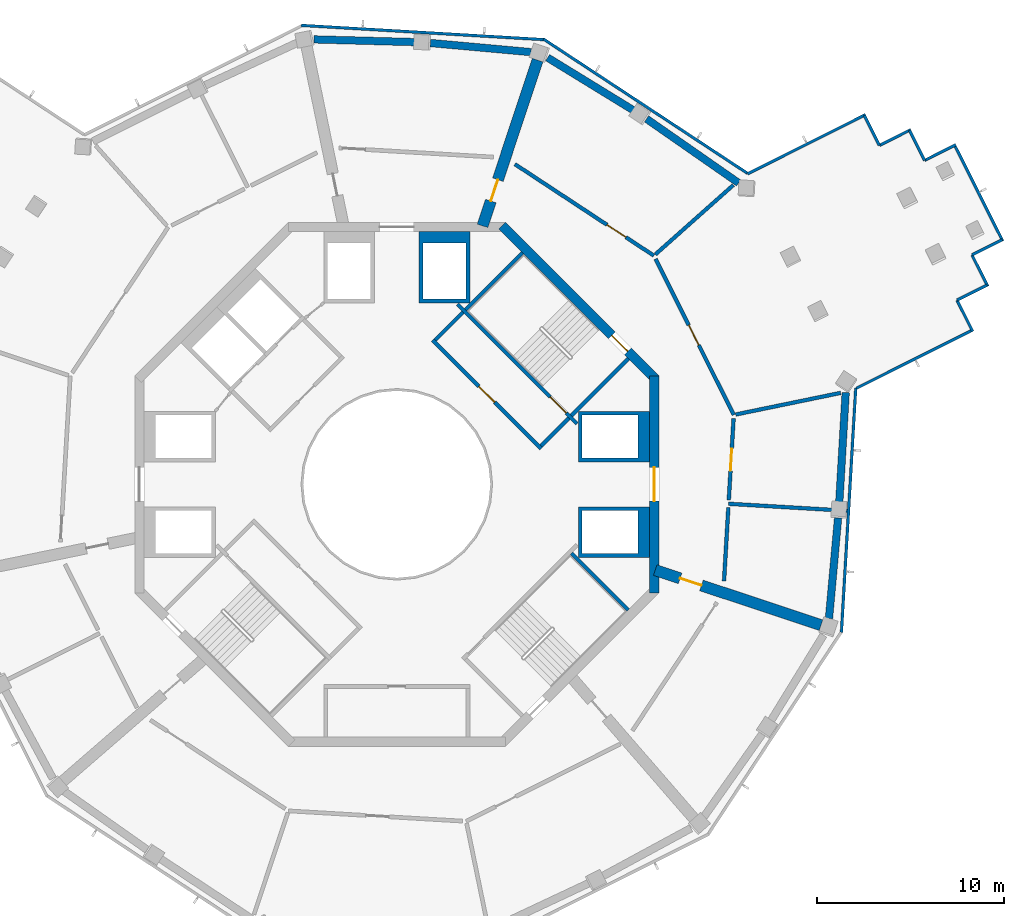
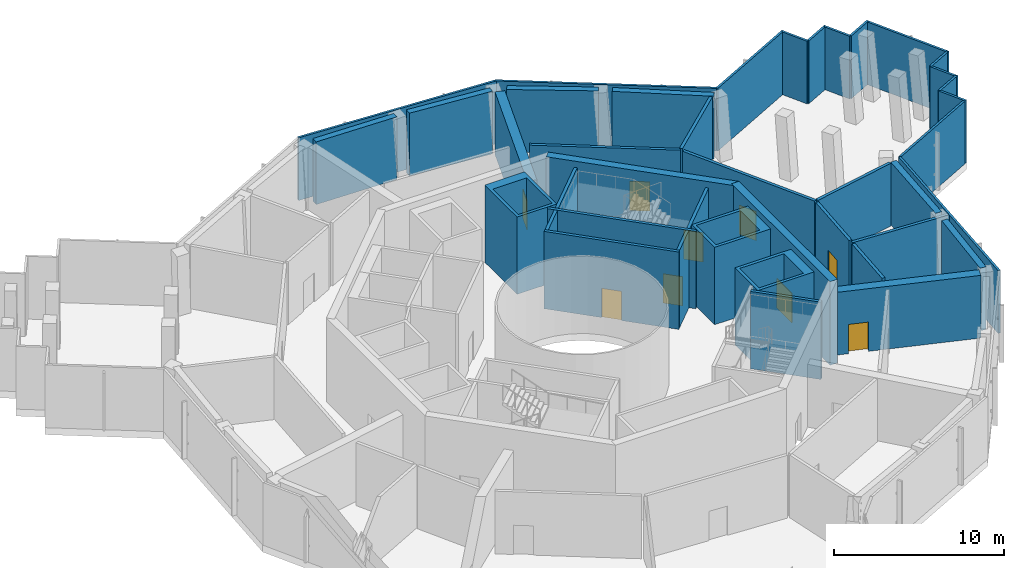
# One storey, part 4 of 16: 41 walls, 9 doors, 9 openings.
"""IFC4 building model written with IfcOpenShell, lengths in metres."""

from ifc_helpers import new_model, si_unit, direction, frame, frame_2d, origin, place, context, subcontext, project, spatial, polyline, rectangle, outline, extrude, material, layer, layer_set, type_object, element, fill, save


model = new_model("IFC4")

# Units and contexts
model_context = context("Model", 3, precision=1e-05, world=origin(), true_north=direction((0.0, 1.0)))
body_context = subcontext(model_context, "Body", "Model", "MODEL_VIEW")
ifc_project = project(units=[si_unit("LENGTHUNIT", "METRE"), si_unit("AREAUNIT", "SQUARE_METRE"), si_unit("VOLUMEUNIT", "CUBIC_METRE"), si_unit("PLANEANGLEUNIT", "RADIAN"), si_unit("MASSUNIT", "GRAM", prefix="KILO")], contexts=[model_context])

# Site, building, storey
site_placement = place(None, origin())
site = spatial("IfcSite", under=ifc_project, at=site_placement, CompositionType="ELEMENT")
building_placement = place(site_placement, origin())
building = spatial("IfcBuilding", under=site, at=building_placement, Name="Verdalira Terraces Hotel", CompositionType="ELEMENT")
storey_placement = place(building_placement, frame((0.0, 0.0, 263.0)))
storey = spatial("IfcBuildingStorey", under=building, at=storey_placement, Name="L65", CompositionType="ELEMENT", Elevation=263.0)

# Walls
ifc_material_1 = material(Name="Concrete C70", Category="concrete")
ifc_layer_1 = layer(ifc_material_1, 0.39990234375)
ifc_layer_set_1 = layer_set([ifc_layer_1], Name="Belt wall 400 C70")
wall_type_1 = type_object("IfcWallType", Name="Belt wall 400 C70", PredefinedType="SHEAR", material=ifc_layer_set_1)
wall_1_placement = place(storey_placement, frame((23.093018, -7.170898, 0.0), z_axis=(0.0, 0.0, 1.0), x_axis=(0.090315437, 0.99591321, 0.0)))
element("IfcWall", 1, at=wall_1_placement, inside=storey, type_object=wall_type_1, Name="Belt wall BW-65-11", PredefinedType="SHEAR", context=body_context, shape_type="SweptSolid", body=[
    extrude(rectangle(XDim=5.395508, YDim=0.399902, at=frame_2d((2.697754, 0.0))), origin(), (0.0, 0.0, 1.0), 4.5),
])
wall_2_placement = place(storey_placement, frame((23.641113, -0.987305, 0.0), z_axis=(0.0, 0.0, 1.0), x_axis=(0.058593459, 0.998281927, 0.0)))
element("IfcWall", 2, at=wall_2_placement, inside=storey, type_object=wall_type_1, Name="Belt wall BW-65-12", PredefinedType="SHEAR", context=body_context, shape_type="SweptSolid", body=[
    extrude(rectangle(XDim=5.900146, YDim=0.399902, at=frame_2d((2.950195, 0.0))), origin(), (0.0, 0.0, 1.0), 4.5),
])
wall_3_placement = place(storey_placement, frame((18.264404, 16.102051, 0.0), z_axis=(0.0, 0.0, 1.0), x_axis=(-0.820712508, 0.571341386, 0.0)))
element("IfcWall", 3, at=wall_3_placement, inside=storey, type_object=wall_type_1, Name="Belt wall BW-65-13", PredefinedType="SHEAR", context=body_context, shape_type="SweptSolid", body=[
    extrude(rectangle(XDim=5.992676, YDim=0.399902, at=frame_2d((2.996338, 0.0))), origin(), (0.0, 0.0, 1.0), 4.5),
])
wall_4_placement = place(storey_placement, frame((12.658203, 19.976074, 0.0), z_axis=(0.0, 0.0, 1.0), x_axis=(-0.852324104, 0.523013979, 0.0)))
element("IfcWall", 4, at=wall_4_placement, inside=storey, type_object=wall_type_1, Name="Belt wall BW-65-14", PredefinedType="SHEAR", context=body_context, shape_type="SweptSolid", body=[
    extrude(rectangle(XDim=5.395752, YDim=0.399902, at=frame_2d((2.697754, 0.0))), origin(), (0.0, 0.0, 1.0), 4.5),
])
for number, where, z_axis, x_axis, name in (
    (5, (7.170898, 23.093018, 0.0), (0.0, 0.0, 1.0), (-0.99591321, 0.090315437, 0.0), "Belt wall BW-65-15"),
    (6, (0.974121, 23.628662, 0.0), (0.0, 0.0, 1.0), (-0.99963994, 0.026832631, 0.0), "Belt wall BW-65-16"),
):
    element("IfcWall", number, at=place(storey_placement, frame(where, z_axis=z_axis, x_axis=x_axis)), inside=storey, type_object=wall_type_1, Name=name, PredefinedType="SHEAR", context=body_context, shape_type="SweptSolid", body=[
        extrude(rectangle(XDim=5.395508, YDim=0.399902, at=frame_2d((2.697754, 0.0))), origin(), (0.0, 0.0, 1.0), 4.5),
    ])
ifc_material_2 = material(Name="Concrete C50", Category="concrete")
ifc_layer_2 = layer(ifc_material_2, 0.199951171875)
ifc_layer_set_2 = layer_set([ifc_layer_2], Name="Core RC wall 200 C50")
wall_type_2 = type_object("IfcWallType", Name="Core RC wall 200 C50", PredefinedType="SOLIDWALL", material=ifc_layer_set_2)
wall_5_placement = place(storey_placement, origin())
element("IfcWall", 7, at=wall_5_placement, inside=storey, type_object=wall_type_2, Name="L65 shaft wall E1", PredefinedType="SOLIDWALL", context=body_context, shape_type="SweptSolid", body=[
    extrude(outline(polyline([(13.5, -1.199951), (13.5, -3.899902), (9.699951, -3.899902), (9.699951, -1.199951), (13.5, -1.199951)]), holes=[polyline([(9.899902, -3.699951), (12.899902, -3.699951), (12.899902, -1.399902), (9.899902, -1.399902), (9.899902, -3.699951)])]), origin(), (0.0, 0.0, 1.0), 5.550049),
])
wall_6_placement = place(storey_placement, origin())
element("IfcWall", 8, at=wall_6_placement, inside=storey, type_object=wall_type_2, Name="L65 shaft wall E2", PredefinedType="SOLIDWALL", context=body_context, shape_type="SweptSolid", body=[
    extrude(outline(polyline([(9.699951, 3.899902), (13.5, 3.899902), (13.5, 1.199951), (9.699951, 1.199951), (9.699951, 3.899902)]), holes=[polyline([(12.899902, 1.399902), (12.899902, 3.699951), (9.899902, 3.699951), (9.899902, 1.399902), (12.899902, 1.399902)])]), origin(), (0.0, 0.0, 1.0), 5.550049),
])
wall_7_placement = place(storey_placement, origin())
element("IfcWall", 9, at=wall_7_placement, inside=storey, type_object=wall_type_2, Name="L65 shaft wall N1", PredefinedType="SOLIDWALL", context=body_context, shape_type="SweptSolid", body=[
    extrude(outline(polyline([(1.199951, 13.5), (3.899902, 13.5), (3.899902, 9.699951), (1.199951, 9.699951), (1.199951, 13.5)]), holes=[polyline([(3.699951, 9.899902), (3.699951, 12.899902), (1.399902, 12.899902), (1.399902, 9.899902), (3.699951, 9.899902)])]), origin(), (0.0, 0.0, 1.0), 5.550049),
])

# Wall, opening, door
wall_8_placement = place(storey_placement, frame((3.23999, 9.629395, 0.0), z_axis=(0.0, 0.0, 1.0), x_axis=(0.707106781, -0.707106781, 0.0)))
wall_8 = element("IfcWall", 10, at=wall_8_placement, inside=storey, type_object=wall_type_2, Name="L65 stair ST1 front wall", PredefinedType="SOLIDWALL", context=body_context, shape_type="SweptSolid", body=[
    extrude(rectangle(XDim=9.035889, YDim=0.199951, at=frame_2d((4.518066, 0.0))), origin(), (0.0, 0.0, 1.0), 5.550049),
])
opening_1_placement = place(wall_8_placement, frame((7.017822, 0.0, 0.0)))
opening_1 = element("IfcOpeningElement", 11, at=opening_1_placement, cuts=wall_8, Name="Opening L65-804", PredefinedType="OPENING", context=body_context, shape_type="SweptSolid", body=[
    extrude(rectangle(XDim=1.199951, YDim=2.100098, at=frame_2d((0.600098, 1.050049))), frame((0.0, 0.109863, 0.0), z_axis=(0.0, -1.0, 0.0), x_axis=(1.0, 0.0, 0.0)), (0.0, 0.0, 1.0), 0.219971),
])
ifc_material_3 = material(Name="Steel fire door", Category="steel")
door_type_1 = type_object("IfcDoorType", Name="Stair door 1200 x 2100", OperationType="NOTDEFINED", PredefinedType="DOOR", material=ifc_material_3)
door_1_placement = place(opening_1_placement, origin())
door_1 = element("IfcDoor", 12, at=door_1_placement, inside=storey, type_object=door_type_1, Name="Stair door ST1 L65", OperationType="SINGLE_SWING_RIGHT", OverallHeight=2.10009765625, OverallWidth=1.199951171875, PredefinedType="DOOR", context=body_context, shape_type="SweptSolid", body=[
    extrude(rectangle(XDim=1.199951, YDim=2.100098, at=frame_2d((0.600098, 1.050049))), frame((0.0, 0.024902, 0.0), z_axis=(0.0, -1.0, 0.0), x_axis=(1.0, 0.0, 0.0)), (0.0, 0.0, 1.0), 0.050049),
])
fill(opening_1, door_1)

# Walls
for number, where, z_axis, x_axis, name in (
    (13, (9.33374, 3.677002, 0.0), (0.0, 0.0, 1.0), (0.707135168, 0.707078393, 0.0), "L65 stair ST1 end wall 1"),
    (14, (3.677002, 9.33374, 0.0), (0.0, 0.0, 1.0), (0.707078393, 0.707135168, 0.0), "L65 stair ST1 end wall 2"),
    (15, (9.33374, -3.677002, 0.0), (0.0, 0.0, 1.0), (0.707135168, -0.707078393, 0.0), "L65 stair ST3 end wall 2"),
):
    element("IfcWall", number, at=place(storey_placement, frame(where, z_axis=z_axis, x_axis=x_axis)), inside=storey, type_object=wall_type_2, Name=name, PredefinedType="SOLIDWALL", context=body_context, shape_type="SweptSolid", body=[
        extrude(rectangle(XDim=4.300049, YDim=0.199951, at=frame_2d((2.149902, 0.0))), origin(), (0.0, 0.0, 1.0), 5.550049),
    ])

# Wall, opening, door
wall_9_placement = place(storey_placement, frame((7.70752, 1.90918, 0.0), z_axis=(0.0, 0.0, 1.0), x_axis=(-0.707106781, 0.707106781, 0.0)))
wall_9 = element("IfcWall", 16, at=wall_9_placement, inside=storey, type_object=wall_type_2, Name="Stair lobby wall ST1 L65", PredefinedType="SOLIDWALL", context=body_context, shape_type="SweptSolid", body=[
    extrude(rectangle(XDim=8.200195, YDim=0.199951, at=frame_2d((4.100098, 0.0))), origin(), (0.0, 0.0, 1.0), 5.550049),
])
opening_2_placement = place(wall_9_placement, frame((3.5, 0.0, 0.0)))
opening_2 = element("IfcOpeningElement", 17, at=opening_2_placement, cuts=wall_9, Name="Opening L65-816", PredefinedType="OPENING", context=body_context, shape_type="SweptSolid", body=[
    extrude(rectangle(XDim=1.199951, YDim=2.100098, at=frame_2d((0.600098, 1.050049))), frame((0.0, 0.109863, 0.0), z_axis=(0.0, -1.0, 0.0), x_axis=(1.0, 0.0, 0.0)), (0.0, 0.0, 1.0), 0.219971),
])
ifc_material_4 = material(Name="Steel fire door", Category="steel")
door_type_2 = type_object("IfcDoorType", Name="Lobby door 1200 x 2100", OperationType="NOTDEFINED", PredefinedType="DOOR", material=ifc_material_4)
door_2_placement = place(opening_2_placement, origin())
door_2 = element("IfcDoor", 18, at=door_2_placement, inside=storey, type_object=door_type_2, Name="Door L65 lobbyST1", OperationType="SINGLE_SWING_LEFT", OverallHeight=2.10009765625, OverallWidth=1.199951171875, PredefinedType="DOOR", context=body_context, shape_type="SweptSolid", body=[
    extrude(rectangle(XDim=1.199951, YDim=2.100098, at=frame_2d((0.600098, 1.050049))), frame((0.0, 0.024902, 0.0), z_axis=(0.0, -1.0, 0.0), x_axis=(1.0, 0.0, 0.0)), (0.0, 0.0, 1.0), 0.050049),
])
fill(opening_2, door_2)

# Walls
for number, where, z_axis, x_axis, name in (
    (19, (7.70752, 2.050537, 0.0), (0.0, 0.0, 1.0), (0.707106781, 0.707106781, 0.0), "Stair lobby wall ST1 L65"),
    (20, (2.050537, 7.70752, 0.0), (0.0, 0.0, 1.0), (0.707106781, 0.707106781, 0.0), "Stair lobby wall ST1 L65"),
):
    element("IfcWall", number, at=place(storey_placement, frame(where, z_axis=z_axis, x_axis=x_axis)), inside=storey, type_object=wall_type_2, Name=name, PredefinedType="SOLIDWALL", context=body_context, shape_type="SweptSolid", body=[
        extrude(rectangle(XDim=2.099854, YDim=0.199951, at=frame_2d((1.049805, 0.0))), origin(), (0.0, 0.0, 1.0), 5.550049),
    ])

# Wall, opening, door
ifc_material_5 = material(Name="Concrete C50", Category="concrete")
ifc_layer_3 = layer(ifc_material_5, 0.5)
ifc_layer_set_3 = layer_set([ifc_layer_3], Name="Core wall 500 C50")
wall_type_3 = type_object("IfcWallType", Name="Core wall 500 C50", PredefinedType="SHEAR", material=ifc_layer_set_3)
wall_10_placement = place(storey_placement, frame((13.75, -5.799072, 0.0), z_axis=(0.0, 0.0, 1.0), x_axis=(0.0, 1.0, 0.0)))
wall_10 = element("IfcWall", 21, at=wall_10_placement, inside=storey, type_object=wall_type_3, Name="Core wall CW-L65-1", PredefinedType="SHEAR", context=body_context, shape_type="SweptSolid", body=[
    extrude(rectangle(XDim=11.598145, YDim=0.5, at=frame_2d((5.799072, 0.0))), origin(), (0.0, 0.0, 1.0), 6.0),
])
opening_3_placement = place(wall_10_placement, frame((4.898926, 0.0, 0.0)))
opening_3 = element("IfcOpeningElement", 22, at=opening_3_placement, cuts=wall_10, Name="Opening L65-807", PredefinedType="OPENING", context=body_context, shape_type="SweptSolid", body=[
    extrude(rectangle(XDim=1.800049, YDim=2.100098, at=frame_2d((0.899902, 1.050049))), frame((0.0, 0.26001, 0.0), z_axis=(0.0, -1.0, 0.0), x_axis=(1.0, 0.0, 0.0)), (0.0, 0.0, 1.0), 0.52002),
])
ifc_material_6 = material(Name="Steel fire door", Category="steel")
door_type_3 = type_object("IfcDoorType", Name="Core entry door pair 1800 x 2100", OperationType="NOTDEFINED", PredefinedType="DOOR", material=ifc_material_6)
door_3_placement = place(opening_3_placement, origin())
door_3 = element("IfcDoor", 23, at=door_3_placement, inside=storey, type_object=door_type_3, Name="Core entry door L65 0", OperationType="DOUBLE_DOOR_SINGLE_SWING", OverallHeight=2.10009765625, OverallWidth=1.800048828125, PredefinedType="DOOR", context=body_context, shape_type="SweptSolid", body=[
    extrude(rectangle(XDim=1.800049, YDim=2.100098, at=frame_2d((0.899902, 1.050049))), frame((0.0, 0.024902, 0.0), z_axis=(0.0, -1.0, 0.0), x_axis=(1.0, 0.0, 0.0)), (0.0, 0.0, 1.0), 0.050049),
])
fill(opening_3, door_3)

wall_11_placement = place(storey_placement, frame((13.823242, 5.622314, 0.0), z_axis=(0.0, 0.0, 1.0), x_axis=(-0.707106781, 0.707106781, 0.0)))
wall_11 = element("IfcWall", 24, at=wall_11_placement, inside=storey, type_object=wall_type_3, Name="Core wall CW-L65-2", PredefinedType="SHEAR", context=body_context, shape_type="SweptSolid", body=[
    extrude(rectangle(XDim=11.5979, YDim=0.5, at=frame_2d((5.798828, 0.0))), origin(), (0.0, 0.0, 1.0), 6.0),
])
opening_4_placement = place(wall_11_placement, frame((2.099121, 0.0, 0.0)))
opening_4 = element("IfcOpeningElement", 25, at=opening_4_placement, cuts=wall_11, Name="Opening L65-810", PredefinedType="OPENING", context=body_context, shape_type="SweptSolid", body=[
    extrude(rectangle(XDim=1.199951, YDim=2.100098, at=frame_2d((0.600098, 1.050049))), frame((0.0, 0.26001, 0.0), z_axis=(0.0, -1.0, 0.0), x_axis=(1.0, 0.0, 0.0)), (0.0, 0.0, 1.0), 0.52002),
])
door_4_placement = place(opening_4_placement, origin())
door_4 = element("IfcDoor", 26, at=door_4_placement, inside=storey, type_object=door_type_1, Name="Stair exit door ST1 L65", OperationType="SINGLE_SWING_LEFT", OverallHeight=2.10009765625, OverallWidth=1.199951171875, PredefinedType="DOOR", context=body_context, shape_type="SweptSolid", body=[
    extrude(rectangle(XDim=1.199951, YDim=2.100098, at=frame_2d((0.600098, 1.050049))), frame((0.0, 0.024902, 0.0), z_axis=(0.0, -1.0, 0.0), x_axis=(1.0, 0.0, 0.0)), (0.0, 0.0, 1.0), 0.050049),
])
fill(opening_4, door_4)

ifc_material_7 = material(Name="Concrete C70", Category="concrete")
ifc_layer_4 = layer(ifc_material_7, 0.60009765625)
ifc_layer_set_4 = layer_set([ifc_layer_4], Name="Outrigger wall 600 C70")
wall_type_4 = type_object("IfcWallType", Name="Outrigger wall 600 C70", PredefinedType="SHEAR", material=ifc_layer_set_4)
wall_12_placement = place(storey_placement, frame((13.810303, -4.583252, 0.0), z_axis=(0.0, 0.0, 1.0), x_axis=(0.949093112, -0.314995658, 0.0)))
wall_12 = element("IfcWall", 27, at=wall_12_placement, inside=storey, type_object=wall_type_4, Name="Outrigger wall OW-65-4", PredefinedType="SHEAR", context=body_context, shape_type="SweptSolid", body=[
    extrude(rectangle(XDim=9.334717, YDim=0.600098, at=frame_2d((4.66748, 0.0))), origin(), (0.0, 0.0, 1.0), 4.5),
])
opening_5_placement = place(wall_12_placement, frame((1.399902, 0.0, 0.0)))
opening_5 = element("IfcOpeningElement", 28, at=opening_5_placement, cuts=wall_12, Name="Opening L65-104", PredefinedType="OPENING", context=body_context, shape_type="SweptSolid", body=[
    extrude(rectangle(XDim=1.199951, YDim=2.100098, at=frame_2d((0.600098, 1.050049))), frame((0.0, 0.310059, 0.0), z_axis=(0.0, -1.0, 0.0), x_axis=(1.0, 0.0, 0.0)), (0.0, 0.0, 1.0), 0.620117),
])
ifc_material_8 = material(Name="Steel fire door", Category="steel")
door_type_4 = type_object("IfcDoorType", Name="Plant room door 1200 x 2100", OperationType="NOTDEFINED", PredefinedType="DOOR", material=ifc_material_8)
door_5_placement = place(opening_5_placement, origin())
door_5 = element("IfcDoor", 29, at=door_5_placement, inside=storey, type_object=door_type_4, Name="Plant room door", OperationType="SINGLE_SWING_LEFT", OverallHeight=2.10009765625, OverallWidth=1.199951171875, PredefinedType="DOOR", context=body_context, shape_type="SweptSolid", body=[
    extrude(rectangle(XDim=1.199951, YDim=2.100098, at=frame_2d((0.600098, 1.050049))), frame((0.0, 0.024902, 0.0), z_axis=(0.0, -1.0, 0.0), x_axis=(1.0, 0.0, 0.0)), (0.0, 0.0, 1.0), 0.050049),
])
fill(opening_5, door_5)

wall_13_placement = place(storey_placement, frame((4.583252, 13.810303, 0.0), z_axis=(0.0, 0.0, 1.0), x_axis=(0.314995658, 0.949093112, 0.0)))
wall_13 = element("IfcWall", 30, at=wall_13_placement, inside=storey, type_object=wall_type_4, Name="Outrigger wall OW-65-5", PredefinedType="SHEAR", context=body_context, shape_type="SweptSolid", body=[
    extrude(rectangle(XDim=9.334717, YDim=0.600098, at=frame_2d((4.66748, 0.0))), origin(), (0.0, 0.0, 1.0), 4.5),
])
opening_6_placement = place(wall_13_placement, frame((1.399902, 0.0, 0.0)))
opening_6 = element("IfcOpeningElement", 31, at=opening_6_placement, cuts=wall_13, Name="Opening L65-105", PredefinedType="OPENING", context=body_context, shape_type="SweptSolid", body=[
    extrude(rectangle(XDim=1.199951, YDim=2.100098, at=frame_2d((0.600098, 1.050049))), frame((0.0, 0.310059, 0.0), z_axis=(0.0, -1.0, 0.0), x_axis=(1.0, 0.0, 0.0)), (0.0, 0.0, 1.0), 0.620117),
])
door_6_placement = place(opening_6_placement, origin())
door_6 = element("IfcDoor", 32, at=door_6_placement, inside=storey, type_object=door_type_4, Name="Plant room door", OperationType="SINGLE_SWING_LEFT", OverallHeight=2.10009765625, OverallWidth=1.199951171875, PredefinedType="DOOR", context=body_context, shape_type="SweptSolid", body=[
    extrude(rectangle(XDim=1.199951, YDim=2.100098, at=frame_2d((0.600098, 1.050049))), frame((0.0, 0.024902, 0.0), z_axis=(0.0, -1.0, 0.0), x_axis=(1.0, 0.0, 0.0)), (0.0, 0.0, 1.0), 0.050049),
])
fill(opening_6, door_6)

ifc_material_9 = material(Name="Fire-rated concrete block wall", Category="concrete")
ifc_layer_5 = layer(ifc_material_9, 0.199951171875)
ifc_layer_set_5 = layer_set([ifc_layer_5], Name="Plant room wall 200 mm")
wall_type_5 = type_object("IfcWallType", Name="Plant room wall 200 mm", PredefinedType="SOLIDWALL", material=ifc_layer_set_5)
wall_14_placement = place(storey_placement, frame((6.309814, 17.107422, 0.0), z_axis=(0.0, 0.0, 1.0), x_axis=(0.835228667, -0.549902786, 0.0)))
wall_14 = element("IfcWall", 33, at=wall_14_placement, inside=storey, type_object=wall_type_5, Name="Plant room wall", PredefinedType="SOLIDWALL", context=body_context, shape_type="SweptSolid", body=[
    extrude(rectangle(XDim=8.895508, YDim=0.199951, at=frame_2d((4.447754, 0.0))), origin(), (0.0, 0.0, 1.0), 4.5),
])
opening_7_placement = place(wall_14_placement, frame((5.899902, 0.0, 0.0)))
opening_7 = element("IfcOpeningElement", 34, at=opening_7_placement, cuts=wall_14, Name="Opening L65-115", PredefinedType="OPENING", context=body_context, shape_type="SweptSolid", body=[
    extrude(rectangle(XDim=1.199951, YDim=2.100098, at=frame_2d((0.600098, 1.050049))), frame((0.0, 0.109863, 0.0), z_axis=(0.0, -1.0, 0.0), x_axis=(1.0, 0.0, 0.0)), (0.0, 0.0, 1.0), 0.219971),
])
door_7_placement = place(opening_7_placement, origin())
door_7 = element("IfcDoor", 35, at=door_7_placement, inside=storey, type_object=door_type_4, Name="Plant room door 6509", OperationType="SINGLE_SWING_LEFT", OverallHeight=2.10009765625, OverallWidth=1.199951171875, PredefinedType="DOOR", context=body_context, shape_type="SweptSolid", body=[
    extrude(rectangle(XDim=1.199951, YDim=2.100098, at=frame_2d((0.600098, 1.050049))), frame((0.0, 0.024902, 0.0), z_axis=(0.0, -1.0, 0.0), x_axis=(1.0, 0.0, 0.0)), (0.0, 0.0, 1.0), 0.050049),
])
fill(opening_7, door_7)

# Wall
wall_15_placement = place(storey_placement, frame((13.816895, 12.284668, 0.0), z_axis=(0.0, 0.0, 1.0), x_axis=(0.747356168, 0.664423629, 0.0)))
element("IfcWall", 36, at=wall_15_placement, inside=storey, type_object=wall_type_5, Name="Plant room wall", PredefinedType="SOLIDWALL", context=body_context, shape_type="SweptSolid", body=[
    extrude(rectangle(XDim=5.575684, YDim=0.199951, at=frame_2d((2.787842, 0.0))), origin(), (0.0, 0.0, 1.0), 4.5),
])

# Wall, opening, door
wall_16_placement = place(storey_placement, frame((13.829346, 12.036865, 0.0), z_axis=(0.0, 0.0, 1.0), x_axis=(0.448376743, -0.893844671, 0.0)))
wall_16 = element("IfcWall", 37, at=wall_16_placement, inside=storey, type_object=wall_type_5, Name="Plant room wall", PredefinedType="SOLIDWALL", context=body_context, shape_type="SweptSolid", body=[
    extrude(rectangle(XDim=9.316406, YDim=0.199951, at=frame_2d((4.658203, 0.0))), origin(), (0.0, 0.0, 1.0), 4.5),
])
opening_8_placement = place(wall_16_placement, frame((3.949951, 0.0, 0.0)))
opening_8 = element("IfcOpeningElement", 38, at=opening_8_placement, cuts=wall_16, Name="Opening L65-114", PredefinedType="OPENING", context=body_context, shape_type="SweptSolid", body=[
    extrude(rectangle(XDim=1.199951, YDim=2.100098, at=frame_2d((0.600098, 1.050049))), frame((0.0, 0.109863, 0.0), z_axis=(0.0, -1.0, 0.0), x_axis=(1.0, 0.0, 0.0)), (0.0, 0.0, 1.0), 0.219971),
])
door_8_placement = place(opening_8_placement, origin())
door_8 = element("IfcDoor", 39, at=door_8_placement, inside=storey, type_object=door_type_4, Name="Plant room door 6508", OperationType="SINGLE_SWING_LEFT", OverallHeight=2.10009765625, OverallWidth=1.199951171875, PredefinedType="DOOR", context=body_context, shape_type="SweptSolid", body=[
    extrude(rectangle(XDim=1.199951, YDim=2.100098, at=frame_2d((0.600098, 1.050049))), frame((0.0, 0.024902, 0.0), z_axis=(0.0, -1.0, 0.0), x_axis=(1.0, 0.0, 0.0)), (0.0, 0.0, 1.0), 0.050049),
])
fill(opening_8, door_8)

# Wall
wall_17_placement = place(storey_placement, frame((17.485352, -5.17041, 0.0), z_axis=(0.0, 0.0, 1.0), x_axis=(0.058605687, 0.99828121, 0.0)))
element("IfcWall", 40, at=wall_17_placement, inside=storey, type_object=wall_type_5, Name="Plant room wall", PredefinedType="SOLIDWALL", context=body_context, shape_type="SweptSolid", body=[
    extrude(rectangle(XDim=3.936768, YDim=0.199951, at=frame_2d((1.968262, 0.0))), origin(), (0.0, 0.0, 1.0), 4.5),
])

# Wall, opening, door
wall_18_placement = place(storey_placement, frame((17.995117, 3.509521, 0.0), z_axis=(0.0, 0.0, 1.0), x_axis=(-0.058653059, -0.998278427, 0.0)))
wall_18 = element("IfcWall", 41, at=wall_18_placement, inside=storey, type_object=wall_type_5, Name="Plant room wall", PredefinedType="SOLIDWALL", context=body_context, shape_type="SweptSolid", body=[
    extrude(rectangle(XDim=4.358154, YDim=0.199951, at=frame_2d((2.179199, 0.0))), origin(), (0.0, 0.0, 1.0), 4.5),
])
opening_9_placement = place(wall_18_placement, frame((1.600098, 0.0, 0.0)))
opening_9 = element("IfcOpeningElement", 42, at=opening_9_placement, cuts=wall_18, Name="Opening L65-113", PredefinedType="OPENING", context=body_context, shape_type="SweptSolid", body=[
    extrude(rectangle(XDim=1.199951, YDim=2.100098, at=frame_2d((0.600098, 1.050049))), frame((0.0, 0.109863, 0.0), z_axis=(0.0, -1.0, 0.0), x_axis=(1.0, 0.0, 0.0)), (0.0, 0.0, 1.0), 0.219971),
])
door_9_placement = place(opening_9_placement, origin())
door_9 = element("IfcDoor", 43, at=door_9_placement, inside=storey, type_object=door_type_4, Name="Plant room door 6507", OperationType="SINGLE_SWING_LEFT", OverallHeight=2.10009765625, OverallWidth=1.199951171875, PredefinedType="DOOR", context=body_context, shape_type="SweptSolid", body=[
    extrude(rectangle(XDim=1.199951, YDim=2.100098, at=frame_2d((0.600098, 1.050049))), frame((0.0, 0.024902, 0.0), z_axis=(0.0, -1.0, 0.0), x_axis=(1.0, 0.0, 0.0)), (0.0, 0.0, 1.0), 0.050049),
])
fill(opening_9, door_9)

# Walls
wall_19_placement = place(storey_placement, frame((17.727783, -1.040771, 0.0), z_axis=(0.0, 0.0, 1.0), x_axis=(0.998279672, -0.05863187, 0.0)))
element("IfcWall", 44, at=wall_19_placement, inside=storey, type_object=wall_type_5, Name="Plant room wall", PredefinedType="SOLIDWALL", context=body_context, shape_type="SweptSolid", body=[
    extrude(rectangle(XDim=6.350098, YDim=0.199951, at=frame_2d((3.175049, 0.0))), origin(), (0.0, 0.0, 1.0), 4.5),
])
wall_20_placement = place(storey_placement, frame((18.108154, 3.730225, 0.0), z_axis=(0.0, 0.0, 1.0), x_axis=(0.979432762, 0.201770824, 0.0)))
element("IfcWall", 45, at=wall_20_placement, inside=storey, type_object=wall_type_5, Name="Plant room wall", PredefinedType="SOLIDWALL", context=body_context, shape_type="SweptSolid", body=[
    extrude(rectangle(XDim=5.725586, YDim=0.199951, at=frame_2d((2.862793, 0.0))), origin(), (0.0, 0.0, 1.0), 4.5),
])
ifc_material_10 = material(Name="Terracotta cladding", Category="masonry")
ifc_layer_6 = layer(ifc_material_10, 0.14990234375)
ifc_layer_set_6 = layer_set([ifc_layer_6], Name="Terracotta clad wall 150")
wall_type_6 = type_object("IfcWallType", Name="Terracotta clad wall 150", PredefinedType="SOLIDWALL", material=ifc_layer_set_6)
wall_21_placement = place(storey_placement, frame((23.760742, -7.90625, 0.0), z_axis=(0.0, 0.0, 1.0), x_axis=(0.058612563, 0.998280806, 0.0)))
element("IfcWall", 46, at=wall_21_placement, inside=storey, type_object=wall_type_6, Name="Terracotta cladding wall", PredefinedType="SOLIDWALL", context=body_context, shape_type="SweptSolid", body=[
    extrude(rectangle(XDim=13.074951, YDim=0.149902, at=frame_2d((6.537598, 0.0))), origin(), (0.0, 0.0, 1.0), 4.5),
])
wall_22_placement = place(storey_placement, frame((24.553711, 5.128906, 0.0), z_axis=(0.0, 0.0, 1.0), x_axis=(0.893833809, 0.448398397, 0.0)))
element("IfcWall", 47, at=wall_22_placement, inside=storey, type_object=wall_type_6, Name="Terracotta cladding wall", PredefinedType="SOLIDWALL", context=body_context, shape_type="SweptSolid", body=[
    extrude(rectangle(XDim=6.921387, YDim=0.149902, at=frame_2d((3.460693, 0.0))), origin(), (0.0, 0.0, 1.0), 4.5),
])
wall_23_placement = place(storey_placement, frame((30.773926, 8.165283, 0.0), z_axis=(0.0, 0.0, 1.0), x_axis=(-0.44841104, 0.893827466, 0.0)))
element("IfcWall", 48, at=wall_23_placement, inside=storey, type_object=wall_type_6, Name="Terracotta cladding wall", PredefinedType="SOLIDWALL", context=body_context, shape_type="SweptSolid", body=[
    extrude(rectangle(XDim=1.875, YDim=0.149902, at=frame_2d((0.9375, 0.0))), origin(), (0.0, 0.0, 1.0), 4.5),
])
wall_24_placement = place(storey_placement, frame((29.933105, 9.841309, 0.0), z_axis=(0.0, 0.0, 1.0), x_axis=(0.893856871, 0.448352422, 0.0)))
element("IfcWall", 49, at=wall_24_placement, inside=storey, type_object=wall_type_6, Name="Terracotta cladding wall", PredefinedType="SOLIDWALL", context=body_context, shape_type="SweptSolid", body=[
    extrude(rectangle(XDim=1.800293, YDim=0.149902, at=frame_2d((0.900146, 0.0))), origin(), (0.0, 0.0, 1.0), 4.5),
])
wall_25_placement = place(storey_placement, frame((31.575684, 10.581299, 0.0), z_axis=(0.0, 0.0, 1.0), x_axis=(-0.44830701, 0.893879648, 0.0)))
element("IfcWall", 50, at=wall_25_placement, inside=storey, type_object=wall_type_6, Name="Terracotta cladding wall", PredefinedType="SOLIDWALL", context=body_context, shape_type="SweptSolid", body=[
    extrude(rectangle(XDim=1.875, YDim=0.149902, at=frame_2d((0.9375, 0.0))), origin(), (0.0, 0.0, 1.0), 4.5),
])
wall_26_placement = place(storey_placement, frame((30.735107, 12.257324, 0.0), z_axis=(0.0, 0.0, 1.0), x_axis=(0.893829604, 0.448406779, 0.0)))
element("IfcWall", 51, at=wall_26_placement, inside=storey, type_object=wall_type_6, Name="Terracotta cladding wall", PredefinedType="SOLIDWALL", context=body_context, shape_type="SweptSolid", body=[
    extrude(rectangle(XDim=1.800049, YDim=0.149902, at=frame_2d((0.899902, 0.0))), origin(), (0.0, 0.0, 1.0), 4.5),
])
wall_27_placement = place(storey_placement, frame((32.377686, 12.997314, 0.0), z_axis=(0.0, 0.0, 1.0), x_axis=(-0.448407244, 0.893829371, 0.0)))
element("IfcWall", 52, at=wall_27_placement, inside=storey, type_object=wall_type_6, Name="Terracotta cladding wall", PredefinedType="SOLIDWALL", context=body_context, shape_type="SweptSolid", body=[
    extrude(rectangle(XDim=5.725098, YDim=0.149902, at=frame_2d((2.862549, 0.0))), origin(), (0.0, 0.0, 1.0), 4.5),
])
wall_28_placement = place(storey_placement, frame((29.877686, 18.148193, 0.0), z_axis=(0.0, 0.0, 1.0), x_axis=(-0.893827466, -0.44841104, 0.0)))
element("IfcWall", 53, at=wall_28_placement, inside=storey, type_object=wall_type_6, Name="Terracotta cladding wall", PredefinedType="SOLIDWALL", context=body_context, shape_type="SweptSolid", body=[
    extrude(rectangle(XDim=1.875, YDim=0.149902, at=frame_2d((0.9375, 0.0))), origin(), (0.0, 0.0, 1.0), 4.5),
])
wall_29_placement = place(storey_placement, frame((28.20166, 17.307373, 0.0), z_axis=(0.0, 0.0, 1.0), x_axis=(-0.448352422, 0.893856871, 0.0)))
element("IfcWall", 54, at=wall_29_placement, inside=storey, type_object=wall_type_6, Name="Terracotta cladding wall", PredefinedType="SOLIDWALL", context=body_context, shape_type="SweptSolid", body=[
    extrude(rectangle(XDim=1.800293, YDim=0.149902, at=frame_2d((0.900146, 0.0))), origin(), (0.0, 0.0, 1.0), 4.5),
])
wall_30_placement = place(storey_placement, frame((27.46167, 18.949951, 0.0), z_axis=(0.0, 0.0, 1.0), x_axis=(-0.893879648, -0.44830701, 0.0)))
element("IfcWall", 55, at=wall_30_placement, inside=storey, type_object=wall_type_6, Name="Terracotta cladding wall", PredefinedType="SOLIDWALL", context=body_context, shape_type="SweptSolid", body=[
    extrude(rectangle(XDim=1.875, YDim=0.149902, at=frame_2d((0.9375, 0.0))), origin(), (0.0, 0.0, 1.0), 4.5),
])
wall_31_placement = place(storey_placement, frame((25.785645, 18.109375, 0.0), z_axis=(0.0, 0.0, 1.0), x_axis=(-0.448406779, 0.893829604, 0.0)))
element("IfcWall", 56, at=wall_31_placement, inside=storey, type_object=wall_type_6, Name="Terracotta cladding wall", PredefinedType="SOLIDWALL", context=body_context, shape_type="SweptSolid", body=[
    extrude(rectangle(XDim=1.800049, YDim=0.149902, at=frame_2d((0.899902, 0.0))), origin(), (0.0, 0.0, 1.0), 4.5),
])
wall_32_placement = place(storey_placement, frame((25.045654, 19.751953, 0.0), z_axis=(0.0, 0.0, 1.0), x_axis=(-0.893845478, -0.448375134, 0.0)))
element("IfcWall", 57, at=wall_32_placement, inside=storey, type_object=wall_type_6, Name="Terracotta cladding wall", PredefinedType="SOLIDWALL", context=body_context, shape_type="SweptSolid", body=[
    extrude(rectangle(XDim=7.060059, YDim=0.149902, at=frame_2d((3.530029, 0.0))), origin(), (0.0, 0.0, 1.0), 4.5),
])
wall_33_placement = place(storey_placement, frame((18.737061, 16.61792, 0.0), z_axis=(0.0, 0.0, 1.0), x_axis=(-0.835226418, 0.549906202, 0.0)))
element("IfcWall", 58, at=wall_33_placement, inside=storey, type_object=wall_type_6, Name="Terracotta cladding wall", PredefinedType="SOLIDWALL", context=body_context, shape_type="SweptSolid", body=[
    extrude(rectangle(XDim=13.046387, YDim=0.149902, at=frame_2d((6.523193, 0.0))), origin(), (0.0, 0.0, 1.0), 4.5),
])
wall_34_placement = place(storey_placement, frame((7.90625, 23.760742, 0.0), z_axis=(0.0, 0.0, 1.0), x_axis=(-0.998281212, 0.058605638, 0.0)))
element("IfcWall", 59, at=wall_34_placement, inside=storey, type_object=wall_type_6, Name="Terracotta cladding wall", PredefinedType="SOLIDWALL", context=body_context, shape_type="SweptSolid", body=[
    extrude(rectangle(XDim=13.034912, YDim=0.149902, at=frame_2d((6.517578, 0.0))), origin(), (0.0, 0.0, 1.0), 4.5),
])

save(model, "model.ifc")
